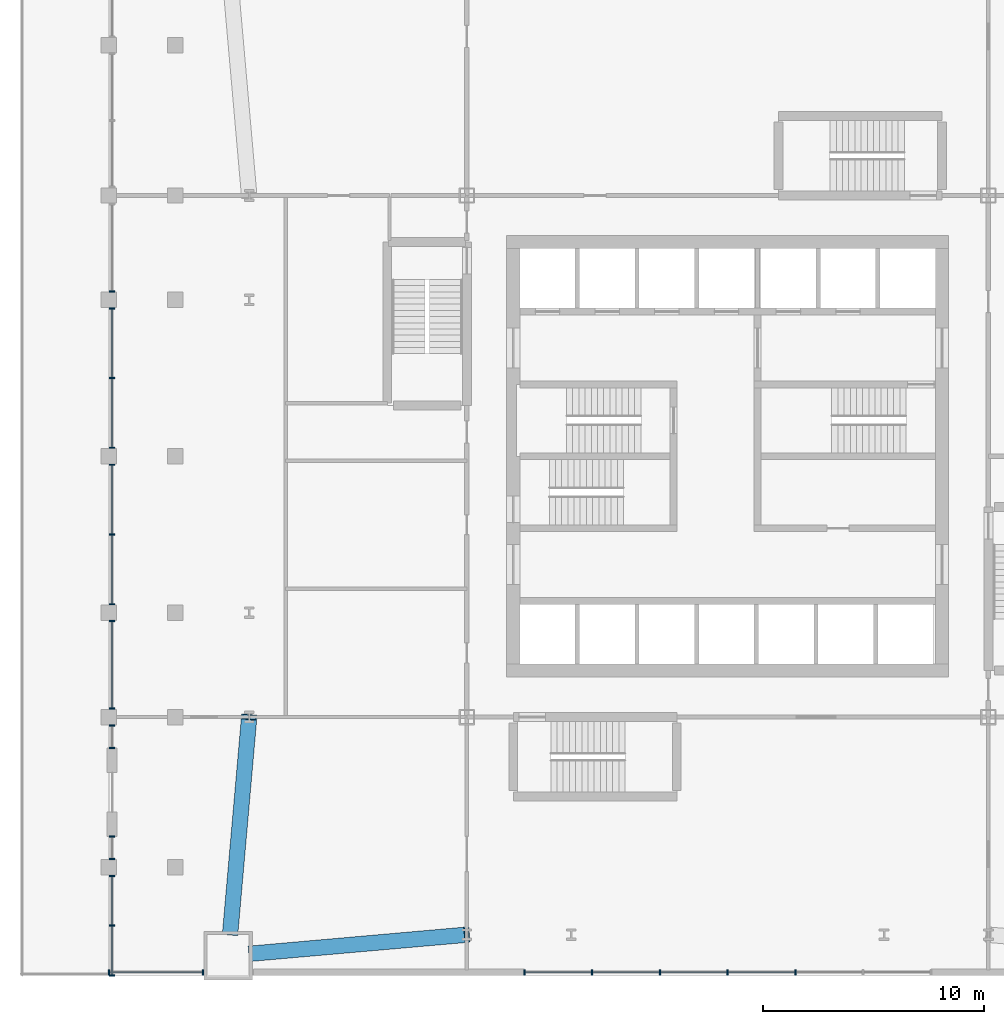
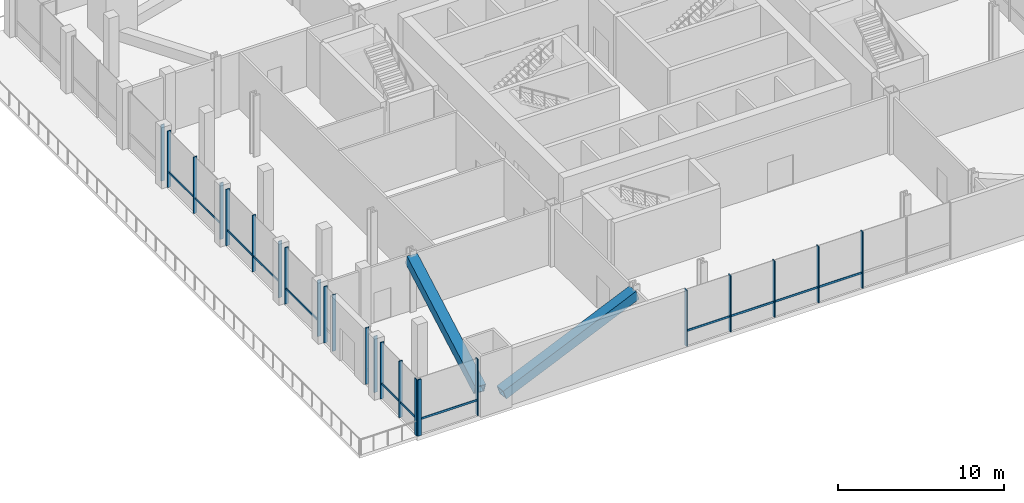
# One storey, part 2 of 15: 37 members, 9 elements without a shape of their own.
"""IFC4 building model written with IfcOpenShell, lengths in metres."""

from ifc_helpers import new_model, si_unit, direction, frame, origin, origin_2d, place, context, subcontext, project, spatial, rectangle, hollow_rectangle, extrude, material, material_profile, profile_set, type_object, element, aggregate, save


model = new_model("IFC4")

# Units and contexts
model_context = context("Model", 3, precision=1e-05, world=origin(), true_north=direction((0.0, 1.0)))
body_context = subcontext(model_context, "Body", "Model", "MODEL_VIEW")
ifc_project = project(units=[si_unit("LENGTHUNIT", "METRE"), si_unit("AREAUNIT", "SQUARE_METRE"), si_unit("VOLUMEUNIT", "CUBIC_METRE"), si_unit("PLANEANGLEUNIT", "RADIAN"), si_unit("MASSUNIT", "GRAM", prefix="KILO")], contexts=[model_context])

# Site, building, storey
site_placement = place(None, origin())
site = spatial("IfcSite", under=ifc_project, at=site_placement, CompositionType="ELEMENT")
building_placement = place(site_placement, origin())
building = spatial("IfcBuilding", under=site, at=building_placement, Name="Turquesa Mirador Hotel Tower", CompositionType="ELEMENT")
storey_placement = place(building_placement, frame((0.0, 0.0, 16.0)))
storey = spatial("IfcBuildingStorey", under=building, at=storey_placement, Name="L03", CompositionType="ELEMENT", Elevation=16.0)

# Curtain wall, members
ifc_material_1 = material(Name="Aluminium extrusion", Category="aluminium")
curtain_wall_type = type_object("IfcCurtainWallType", Name="CW-3 PODIUM UPPER CURTAIN WALL", PredefinedType="USERDEFINED", material=ifc_material_1)
curtain_wall_1_placement = place(storey_placement, origin())
curtain_wall_1 = element("IfcCurtainWall", 1, at=curtain_wall_1_placement, inside=storey, type_object=curtain_wall_type, Name="CW-3 PODIUM UPPER CURTAIN WALL L03", ObjectType="CURTAIN WALL", PredefinedType="USERDEFINED")
ifc_material_2 = material(Name="Aluminium extrusion", Category="aluminium")
ifc_material_profile_1 = material_profile(ifc_material_2, rectangle(XDim=0.06494140625, YDim=0.25, at=origin_2d()), Name="MULLION 65X250")
ifc_profile_set_1 = profile_set([ifc_material_profile_1], Name="Aluminium extrusion")
member_type_1 = type_object("IfcMemberType", Name="CW MULLION 65X250", PredefinedType="MULLION", material=ifc_profile_set_1)
member_1_placement = place(storey_placement, frame((27.0, 21.64990234375, 0.0), z_axis=(0.0, 0.0, 1.0), x_axis=(1.0, 0.0, 0.0)))
member_1 = element("IfcMember", 2, at=member_1_placement, type_object=member_type_1, Name="Mullion", PredefinedType="MULLION", context=body_context, shape_type="SweptSolid", body=[
    extrude(rectangle(XDim=0.06494140625, YDim=0.25, at=origin_2d()), origin(), (0.0, 0.0, 1.0), 4.14990234375),
])
member_2_placement = place(storey_placement, frame((31.265380859375, 21.64990234375, 0.0), z_axis=(0.0, 0.0, 1.0), x_axis=(1.0, 0.0, 0.0)))
member_2 = element("IfcMember", 3, at=member_2_placement, type_object=member_type_1, Name="Mullion", PredefinedType="MULLION", context=body_context, shape_type="SweptSolid", body=[
    extrude(rectangle(XDim=0.06494140625, YDim=0.25, at=origin_2d()), origin(), (0.0, 0.0, 1.0), 4.14990234375),
])

curtain_wall_2_placement = place(storey_placement, origin())
curtain_wall_2 = element("IfcCurtainWall", 4, at=curtain_wall_2_placement, inside=storey, type_object=curtain_wall_type, Name="CW-3 PODIUM UPPER CURTAIN WALL L03", ObjectType="CURTAIN WALL", PredefinedType="USERDEFINED")
member_3_placement = place(storey_placement, frame((45.800537109375, 21.64990234375, 0.0), z_axis=(0.0, 0.0, 1.0), x_axis=(1.0, 0.0, 0.0)))
member_3 = element("IfcMember", 5, at=member_3_placement, type_object=member_type_1, Name="Mullion", PredefinedType="MULLION", context=body_context, shape_type="SweptSolid", body=[
    extrude(rectangle(XDim=0.06494140625, YDim=0.25, at=origin_2d()), origin(), (0.0, 0.0, 1.0), 4.14990234375),
])
member_4_placement = place(storey_placement, frame((48.866943359375, 21.64990234375, 0.0), z_axis=(0.0, 0.0, 1.0), x_axis=(1.0, 0.0, 0.0)))
member_4 = element("IfcMember", 6, at=member_4_placement, type_object=member_type_1, Name="Mullion", PredefinedType="MULLION", context=body_context, shape_type="SweptSolid", body=[
    extrude(rectangle(XDim=0.06494140625, YDim=0.25, at=origin_2d()), origin(), (0.0, 0.0, 1.0), 4.14990234375),
])
member_5_placement = place(storey_placement, frame((51.93359375, 21.64990234375, 0.0), z_axis=(0.0, 0.0, 1.0), x_axis=(1.0, 0.0, 0.0)))
member_5 = element("IfcMember", 7, at=member_5_placement, type_object=member_type_1, Name="Mullion", PredefinedType="MULLION", context=body_context, shape_type="SweptSolid", body=[
    extrude(rectangle(XDim=0.06494140625, YDim=0.25, at=origin_2d()), origin(), (0.0, 0.0, 1.0), 4.14990234375),
])
member_6_placement = place(storey_placement, frame((55.0, 21.64990234375, 0.0), z_axis=(0.0, 0.0, 1.0), x_axis=(1.0, 0.0, 0.0)))
member_6 = element("IfcMember", 8, at=member_6_placement, type_object=member_type_1, Name="Mullion", PredefinedType="MULLION", context=body_context, shape_type="SweptSolid", body=[
    extrude(rectangle(XDim=0.06494140625, YDim=0.25, at=origin_2d()), origin(), (0.0, 0.0, 1.0), 4.14990234375),
])
member_7_placement = place(storey_placement, frame((58.06640625, 21.64990234375, 0.0), z_axis=(0.0, 0.0, 1.0), x_axis=(1.0, 0.0, 0.0)))
member_7 = element("IfcMember", 9, at=member_7_placement, type_object=member_type_1, Name="Mullion", PredefinedType="MULLION", context=body_context, shape_type="SweptSolid", body=[
    extrude(rectangle(XDim=0.06494140625, YDim=0.25, at=origin_2d()), origin(), (0.0, 0.0, 1.0), 4.14990234375),
])

# Curtain wall, member
curtain_wall_3_placement = place(storey_placement, origin())
curtain_wall_3 = element("IfcCurtainWall", 10, at=curtain_wall_3_placement, inside=storey, type_object=curtain_wall_type, Name="CW-3 PODIUM UPPER CURTAIN WALL L03", ObjectType="CURTAIN WALL", PredefinedType="USERDEFINED")
member_8_placement = place(storey_placement, frame((27.14990234375, 52.464599609375, 0.0), z_axis=(0.0, 0.0, 1.0), x_axis=(0.0, -1.0, 0.0)))
member_8 = element("IfcMember", 11, at=member_8_placement, type_object=member_type_1, Name="Mullion", PredefinedType="MULLION", context=body_context, shape_type="SweptSolid", body=[
    extrude(rectangle(XDim=0.06494140625, YDim=0.25, at=origin_2d()), origin(), (0.0, 0.0, 1.0), 4.14990234375),
])
aggregate(curtain_wall_3, [member_8])

# Curtain wall, members
curtain_wall_4_placement = place(storey_placement, origin())
curtain_wall_4 = element("IfcCurtainWall", 12, at=curtain_wall_4_placement, inside=storey, type_object=curtain_wall_type, Name="CW-3 PODIUM UPPER CURTAIN WALL L03", ObjectType="CURTAIN WALL", PredefinedType="USERDEFINED")
member_9_placement = place(storey_placement, frame((27.14990234375, 51.695556640625, 0.0), z_axis=(0.0, 0.0, 1.0), x_axis=(0.0, -1.0, 0.0)))
member_9 = element("IfcMember", 13, at=member_9_placement, type_object=member_type_1, Name="Mullion", PredefinedType="MULLION", context=body_context, shape_type="SweptSolid", body=[
    extrude(rectangle(XDim=0.06494140625, YDim=0.25, at=origin_2d()), origin(), (0.0, 0.0, 1.0), 4.14990234375),
])
member_10_placement = place(storey_placement, frame((27.14990234375, 48.5400390625, 0.0), z_axis=(0.0, 0.0, 1.0), x_axis=(0.0, -1.0, 0.0)))
member_10 = element("IfcMember", 14, at=member_10_placement, type_object=member_type_1, Name="Mullion", PredefinedType="MULLION", context=body_context, shape_type="SweptSolid", body=[
    extrude(rectangle(XDim=0.06494140625, YDim=0.25, at=origin_2d()), origin(), (0.0, 0.0, 1.0), 4.14990234375),
])
member_11_placement = place(storey_placement, frame((27.14990234375, 45.384521484375, 0.0), z_axis=(0.0, 0.0, 1.0), x_axis=(0.0, -1.0, 0.0)))
member_11 = element("IfcMember", 15, at=member_11_placement, type_object=member_type_1, Name="Mullion", PredefinedType="MULLION", context=body_context, shape_type="SweptSolid", body=[
    extrude(rectangle(XDim=0.06494140625, YDim=0.25, at=origin_2d()), origin(), (0.0, 0.0, 1.0), 4.14990234375),
])

curtain_wall_5_placement = place(storey_placement, origin())
curtain_wall_5 = element("IfcCurtainWall", 16, at=curtain_wall_5_placement, inside=storey, type_object=curtain_wall_type, Name="CW-3 PODIUM UPPER CURTAIN WALL L03", ObjectType="CURTAIN WALL", PredefinedType="USERDEFINED")
member_12_placement = place(storey_placement, frame((27.14990234375, 44.615478515625, 0.0), z_axis=(0.0, 0.0, 1.0), x_axis=(0.0, -1.0, 0.0)))
member_12 = element("IfcMember", 17, at=member_12_placement, type_object=member_type_1, Name="Mullion", PredefinedType="MULLION", context=body_context, shape_type="SweptSolid", body=[
    extrude(rectangle(XDim=0.06494140625, YDim=0.25, at=origin_2d()), origin(), (0.0, 0.0, 1.0), 4.14990234375),
])
member_13_placement = place(storey_placement, frame((27.14990234375, 41.4599609375, 0.0), z_axis=(0.0, 0.0, 1.0), x_axis=(0.0, -1.0, 0.0)))
member_13 = element("IfcMember", 18, at=member_13_placement, type_object=member_type_1, Name="Mullion", PredefinedType="MULLION", context=body_context, shape_type="SweptSolid", body=[
    extrude(rectangle(XDim=0.06494140625, YDim=0.25, at=origin_2d()), origin(), (0.0, 0.0, 1.0), 4.14990234375),
])
member_14_placement = place(storey_placement, frame((27.14990234375, 38.304443359375, 0.0), z_axis=(0.0, 0.0, 1.0), x_axis=(0.0, -1.0, 0.0)))
member_14 = element("IfcMember", 19, at=member_14_placement, type_object=member_type_1, Name="Mullion", PredefinedType="MULLION", context=body_context, shape_type="SweptSolid", body=[
    extrude(rectangle(XDim=0.06494140625, YDim=0.25, at=origin_2d()), origin(), (0.0, 0.0, 1.0), 4.14990234375),
])

curtain_wall_6_placement = place(storey_placement, origin())
curtain_wall_6 = element("IfcCurtainWall", 20, at=curtain_wall_6_placement, inside=storey, type_object=curtain_wall_type, Name="CW-3 PODIUM UPPER CURTAIN WALL L03", ObjectType="CURTAIN WALL", PredefinedType="USERDEFINED")
member_15_placement = place(storey_placement, frame((27.14990234375, 37.535400390625, 0.0), z_axis=(0.0, 0.0, 1.0), x_axis=(0.0, -1.0, 0.0)))
member_15 = element("IfcMember", 21, at=member_15_placement, type_object=member_type_1, Name="Mullion", PredefinedType="MULLION", context=body_context, shape_type="SweptSolid", body=[
    extrude(rectangle(XDim=0.06494140625, YDim=0.25, at=origin_2d()), origin(), (0.0, 0.0, 1.0), 4.14990234375),
])
member_16_placement = place(storey_placement, frame((27.14990234375, 33.58447265625, 0.0), z_axis=(0.0, 0.0, 1.0), x_axis=(0.0, -1.0, 0.0)))
member_16 = element("IfcMember", 22, at=member_16_placement, type_object=member_type_1, Name="Mullion", PredefinedType="MULLION", context=body_context, shape_type="SweptSolid", body=[
    extrude(rectangle(XDim=0.06494140625, YDim=0.25, at=origin_2d()), origin(), (0.0, 0.0, 1.0), 4.14990234375),
])

curtain_wall_7_placement = place(storey_placement, origin())
curtain_wall_7 = element("IfcCurtainWall", 23, at=curtain_wall_7_placement, inside=storey, type_object=curtain_wall_type, Name="CW-3 PODIUM UPPER CURTAIN WALL L03", ObjectType="CURTAIN WALL", PredefinedType="USERDEFINED")
member_17_placement = place(storey_placement, frame((27.14990234375, 32.8154296875, 0.0), z_axis=(0.0, 0.0, 1.0), x_axis=(0.0, -1.0, 0.0)))
member_17 = element("IfcMember", 24, at=member_17_placement, type_object=member_type_1, Name="Mullion", PredefinedType="MULLION", context=body_context, shape_type="SweptSolid", body=[
    extrude(rectangle(XDim=0.06494140625, YDim=0.25, at=origin_2d()), origin(), (0.0, 0.0, 1.0), 4.14990234375),
])
member_18_placement = place(storey_placement, frame((27.14990234375, 31.800048828125, 0.0), z_axis=(0.0, 0.0, 1.0), x_axis=(0.0, -1.0, 0.0)))
member_18 = element("IfcMember", 25, at=member_18_placement, type_object=member_type_1, Name="Mullion", PredefinedType="MULLION", context=body_context, shape_type="SweptSolid", body=[
    extrude(rectangle(XDim=0.06494140625, YDim=0.25, at=origin_2d()), origin(), (0.0, 0.0, 1.0), 4.14990234375),
])
aggregate(curtain_wall_7, [member_17, member_18])

curtain_wall_8_placement = place(storey_placement, origin())
curtain_wall_8 = element("IfcCurtainWall", 26, at=curtain_wall_8_placement, inside=storey, type_object=curtain_wall_type, Name="CW-3 PODIUM UPPER CURTAIN WALL L03", ObjectType="CURTAIN WALL", PredefinedType="USERDEFINED")
member_19_placement = place(storey_placement, frame((27.14990234375, 27.800048828125, 0.0), z_axis=(0.0, 0.0, 1.0), x_axis=(0.0, -1.0, 0.0)))
member_19 = element("IfcMember", 27, at=member_19_placement, type_object=member_type_1, Name="Mullion", PredefinedType="MULLION", context=body_context, shape_type="SweptSolid", body=[
    extrude(rectangle(XDim=0.06494140625, YDim=0.25, at=origin_2d()), origin(), (0.0, 0.0, 1.0), 4.14990234375),
])
member_20_placement = place(storey_placement, frame((27.14990234375, 26.784423828125, 0.0), z_axis=(0.0, 0.0, 1.0), x_axis=(0.0, -1.0, 0.0)))
member_20 = element("IfcMember", 28, at=member_20_placement, type_object=member_type_1, Name="Mullion", PredefinedType="MULLION", context=body_context, shape_type="SweptSolid", body=[
    extrude(rectangle(XDim=0.06494140625, YDim=0.25, at=origin_2d()), origin(), (0.0, 0.0, 1.0), 4.14990234375),
])
aggregate(curtain_wall_8, [member_19, member_20])

curtain_wall_9_placement = place(storey_placement, origin())
curtain_wall_9 = element("IfcCurtainWall", 29, at=curtain_wall_9_placement, inside=storey, type_object=curtain_wall_type, Name="CW-3 PODIUM UPPER CURTAIN WALL L03", ObjectType="CURTAIN WALL", PredefinedType="USERDEFINED")
member_21_placement = place(storey_placement, frame((27.14990234375, 26.015380859375, 0.0), z_axis=(0.0, 0.0, 1.0), x_axis=(0.0, -1.0, 0.0)))
member_21 = element("IfcMember", 30, at=member_21_placement, type_object=member_type_1, Name="Mullion", PredefinedType="MULLION", context=body_context, shape_type="SweptSolid", body=[
    extrude(rectangle(XDim=0.06494140625, YDim=0.25, at=origin_2d()), origin(), (0.0, 0.0, 1.0), 4.14990234375),
])
member_22_placement = place(storey_placement, frame((27.14990234375, 23.7578125, 0.0), z_axis=(0.0, 0.0, 1.0), x_axis=(0.0, -1.0, 0.0)))
member_22 = element("IfcMember", 31, at=member_22_placement, type_object=member_type_1, Name="Mullion", PredefinedType="MULLION", context=body_context, shape_type="SweptSolid", body=[
    extrude(rectangle(XDim=0.06494140625, YDim=0.25, at=origin_2d()), origin(), (0.0, 0.0, 1.0), 4.14990234375),
])
member_23_placement = place(storey_placement, frame((27.14990234375, 21.5, 0.0), z_axis=(0.0, 0.0, 1.0), x_axis=(0.0, -1.0, 0.0)))
member_23 = element("IfcMember", 32, at=member_23_placement, type_object=member_type_1, Name="Mullion", PredefinedType="MULLION", context=body_context, shape_type="SweptSolid", body=[
    extrude(rectangle(XDim=0.06494140625, YDim=0.25, at=origin_2d()), origin(), (0.0, 0.0, 1.0), 4.14990234375),
])

# Member
ifc_material_3 = material(Name="Aluminium extrusion", Category="aluminium")
ifc_material_profile_2 = material_profile(ifc_material_3, rectangle(XDim=0.06494140625, YDim=0.14990234375, at=origin_2d()), Name="TRANSOM 65X150")
ifc_profile_set_2 = profile_set([ifc_material_profile_2], Name="Aluminium extrusion")
member_type_2 = type_object("IfcMemberType", Name="CW TRANSOM 65X150", PredefinedType="USERDEFINED", material=ifc_profile_set_2)
member_24_placement = place(storey_placement, frame((27.032470703125, 21.64990234375, 1.10009765625), z_axis=(1.0, 0.0, 0.0), x_axis=(0.0, 1.0, 0.0)))
member_24 = element("IfcMember", 33, at=member_24_placement, type_object=member_type_2, Name="Transom", ObjectType="TRANSOM", PredefinedType="USERDEFINED", context=body_context, shape_type="SweptSolid", body=[
    extrude(rectangle(XDim=0.06494140625, YDim=0.14990234375, at=origin_2d()), origin(), (0.0, 0.0, 1.0), 4.200439453125),
])

aggregate(curtain_wall_1, [member_1, member_2, member_24])

member_25_placement = place(storey_placement, frame((45.8330078125, 21.64990234375, 1.10009765625), z_axis=(1.0, 0.0, 0.0), x_axis=(0.0, 1.0, 0.0)))
member_25 = element("IfcMember", 34, at=member_25_placement, type_object=member_type_2, Name="Transom", ObjectType="TRANSOM", PredefinedType="USERDEFINED", context=body_context, shape_type="SweptSolid", body=[
    extrude(rectangle(XDim=0.06494140625, YDim=0.14990234375, at=origin_2d()), origin(), (0.0, 0.0, 1.0), 3.00146484375),
])

member_26_placement = place(storey_placement, frame((48.8994140625, 21.64990234375, 1.10009765625), z_axis=(1.0, 0.0, 0.0), x_axis=(0.0, 1.0, 0.0)))
member_26 = element("IfcMember", 35, at=member_26_placement, type_object=member_type_2, Name="Transom", ObjectType="TRANSOM", PredefinedType="USERDEFINED", context=body_context, shape_type="SweptSolid", body=[
    extrude(rectangle(XDim=0.06494140625, YDim=0.14990234375, at=origin_2d()), origin(), (0.0, 0.0, 1.0), 3.00146484375),
])

member_27_placement = place(storey_placement, frame((51.966064453125, 21.64990234375, 1.10009765625), z_axis=(1.0, 0.0, 0.0), x_axis=(0.0, 1.0, 0.0)))
member_27 = element("IfcMember", 36, at=member_27_placement, type_object=member_type_2, Name="Transom", ObjectType="TRANSOM", PredefinedType="USERDEFINED", context=body_context, shape_type="SweptSolid", body=[
    extrude(rectangle(XDim=0.06494140625, YDim=0.14990234375, at=origin_2d()), origin(), (0.0, 0.0, 1.0), 3.00146484375),
])

member_28_placement = place(storey_placement, frame((55.032470703125, 21.64990234375, 1.10009765625), z_axis=(1.0, 0.0, 0.0), x_axis=(0.0, 1.0, 0.0)))
member_28 = element("IfcMember", 37, at=member_28_placement, type_object=member_type_2, Name="Transom", ObjectType="TRANSOM", PredefinedType="USERDEFINED", context=body_context, shape_type="SweptSolid", body=[
    extrude(rectangle(XDim=0.06494140625, YDim=0.14990234375, at=origin_2d()), origin(), (0.0, 0.0, 1.0), 3.00146484375),
])

aggregate(curtain_wall_2, [member_3, member_4, member_5, member_6, member_7, member_25, member_26, member_27, member_28])

member_29_placement = place(storey_placement, frame((27.14990234375, 51.6630859375, 1.10009765625), z_axis=(0.0, -1.0, 0.0), x_axis=(1.0, 0.0, 0.0)))
member_29 = element("IfcMember", 38, at=member_29_placement, type_object=member_type_2, Name="Transom", ObjectType="TRANSOM", PredefinedType="USERDEFINED", context=body_context, shape_type="SweptSolid", body=[
    extrude(rectangle(XDim=0.06494140625, YDim=0.14990234375, at=origin_2d()), origin(), (0.0, 0.0, 1.0), 3.090576171875),
])

member_30_placement = place(storey_placement, frame((27.14990234375, 48.507568359375, 1.10009765625), z_axis=(0.0, -1.0, 0.0), x_axis=(1.0, 0.0, 0.0)))
member_30 = element("IfcMember", 39, at=member_30_placement, type_object=member_type_2, Name="Transom", ObjectType="TRANSOM", PredefinedType="USERDEFINED", context=body_context, shape_type="SweptSolid", body=[
    extrude(rectangle(XDim=0.06494140625, YDim=0.14990234375, at=origin_2d()), origin(), (0.0, 0.0, 1.0), 3.090576171875),
])

aggregate(curtain_wall_4, [member_9, member_10, member_11, member_29, member_30])

member_31_placement = place(storey_placement, frame((27.14990234375, 44.5830078125, 1.10009765625), z_axis=(0.0, -1.0, 0.0), x_axis=(1.0, 0.0, 0.0)))
member_31 = element("IfcMember", 40, at=member_31_placement, type_object=member_type_2, Name="Transom", ObjectType="TRANSOM", PredefinedType="USERDEFINED", context=body_context, shape_type="SweptSolid", body=[
    extrude(rectangle(XDim=0.06494140625, YDim=0.14990234375, at=origin_2d()), origin(), (0.0, 0.0, 1.0), 3.090576171875),
])

member_32_placement = place(storey_placement, frame((27.14990234375, 41.427490234375, 1.10009765625), z_axis=(0.0, -1.0, 0.0), x_axis=(1.0, 0.0, 0.0)))
member_32 = element("IfcMember", 41, at=member_32_placement, type_object=member_type_2, Name="Transom", ObjectType="TRANSOM", PredefinedType="USERDEFINED", context=body_context, shape_type="SweptSolid", body=[
    extrude(rectangle(XDim=0.06494140625, YDim=0.14990234375, at=origin_2d()), origin(), (0.0, 0.0, 1.0), 3.090576171875),
])

aggregate(curtain_wall_5, [member_12, member_13, member_14, member_31, member_32])

member_33_placement = place(storey_placement, frame((27.14990234375, 37.5029296875, 1.10009765625), z_axis=(0.0, -1.0, 0.0), x_axis=(1.0, 0.0, 0.0)))
member_33 = element("IfcMember", 42, at=member_33_placement, type_object=member_type_2, Name="Transom", ObjectType="TRANSOM", PredefinedType="USERDEFINED", context=body_context, shape_type="SweptSolid", body=[
    extrude(rectangle(XDim=0.06494140625, YDim=0.14990234375, at=origin_2d()), origin(), (0.0, 0.0, 1.0), 3.885986328125),
])

aggregate(curtain_wall_6, [member_15, member_16, member_33])

member_34_placement = place(storey_placement, frame((27.14990234375, 25.98291015625, 1.10009765625), z_axis=(0.0, -1.0, 0.0), x_axis=(1.0, 0.0, 0.0)))
member_34 = element("IfcMember", 43, at=member_34_placement, type_object=member_type_2, Name="Transom", ObjectType="TRANSOM", PredefinedType="USERDEFINED", context=body_context, shape_type="SweptSolid", body=[
    extrude(rectangle(XDim=0.06494140625, YDim=0.14990234375, at=origin_2d()), origin(), (0.0, 0.0, 1.0), 2.192626953125),
])

member_35_placement = place(storey_placement, frame((27.14990234375, 23.725341796875, 1.10009765625), z_axis=(0.0, -1.0, 0.0), x_axis=(1.0, 0.0, 0.0)))
member_35 = element("IfcMember", 44, at=member_35_placement, type_object=member_type_2, Name="Transom", ObjectType="TRANSOM", PredefinedType="USERDEFINED", context=body_context, shape_type="SweptSolid", body=[
    extrude(rectangle(XDim=0.06494140625, YDim=0.14990234375, at=origin_2d()), origin(), (0.0, 0.0, 1.0), 2.19287109375),
])

aggregate(curtain_wall_9, [member_21, member_22, member_23, member_34, member_35])

# Members
ifc_material_4 = material(Name="Steel ASTM A572 Grade 50", Category="steel")
ifc_material_profile_3 = material_profile(ifc_material_4, hollow_rectangle(XDim=0.699951171875, YDim=0.699951171875, WallThickness=0.06005859375, at=origin_2d()), Name="BOX700X700X60")
ifc_profile_set_3 = profile_set([ifc_material_profile_3], Name="Steel ASTM A572 Grade 50")
member_type_3 = type_object("IfcMemberType", Name="PODIUM BRACE BOX700X700X60", PredefinedType="BRACE", material=ifc_profile_set_3)
for number, where, z_axis, x_axis, name in (
    (45, (33.449951171875, 22.492431640625, 0.369384765625), (0.940078203695, 0.082694679727, 0.330778718908), (-0.087627369437, 0.996153323603, 0.0), "Podium brace S"),
    (46, (32.492431640625, 23.449951171875, 0.369384765625), (0.082694679727, 0.940078203695, 0.330778718908), (-0.996153323603, 0.087627369437, 0.0), "Podium brace W"),
):
    element("IfcMember", number, at=place(storey_placement, frame(where, z_axis=z_axis, x_axis=x_axis)), inside=storey, type_object=member_type_3, Name=name, PredefinedType="BRACE", context=body_context, shape_type="SweptSolid", body=[
        extrude(hollow_rectangle(XDim=0.699951171875, YDim=0.699951171875, WallThickness=0.06005859375, at=origin_2d()), origin(), (0.0, 0.0, 1.0), 10.37158203125),
    ])

save(model, "model.ifc")
